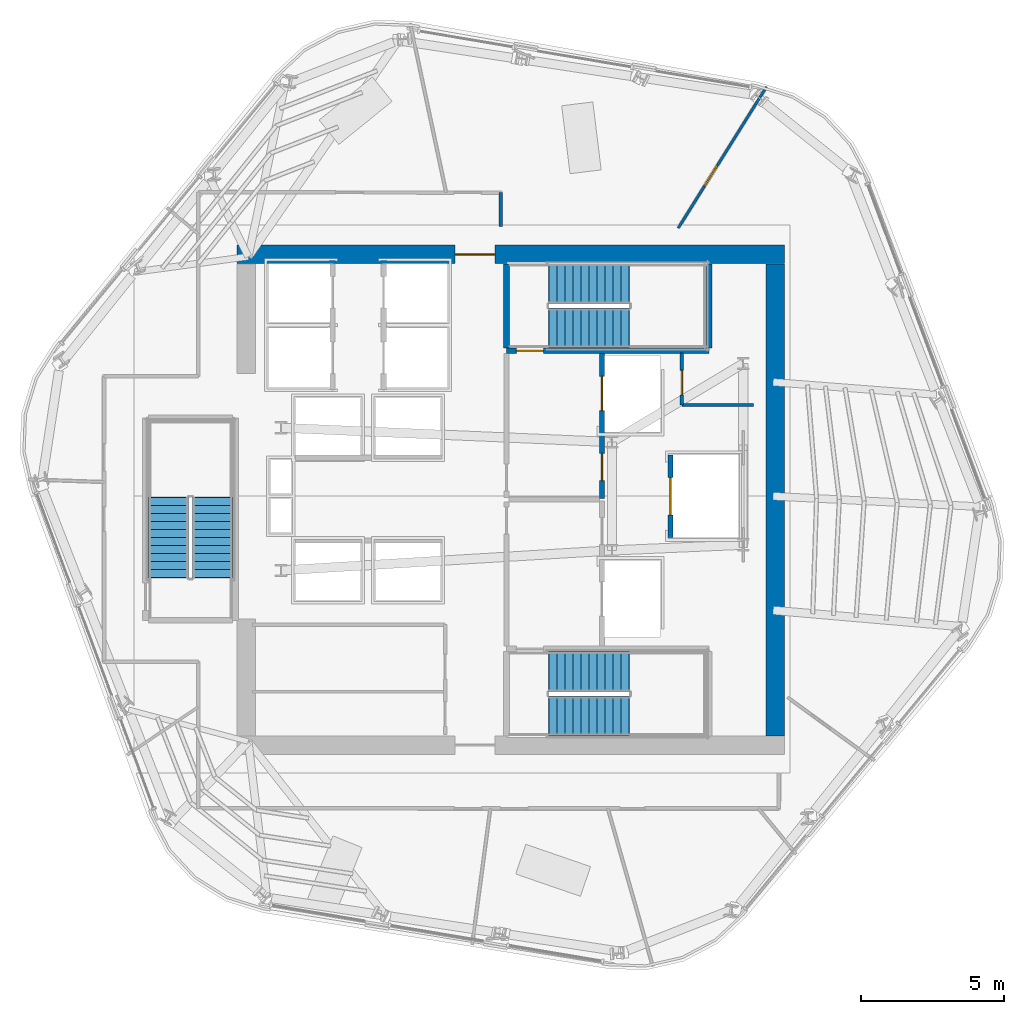
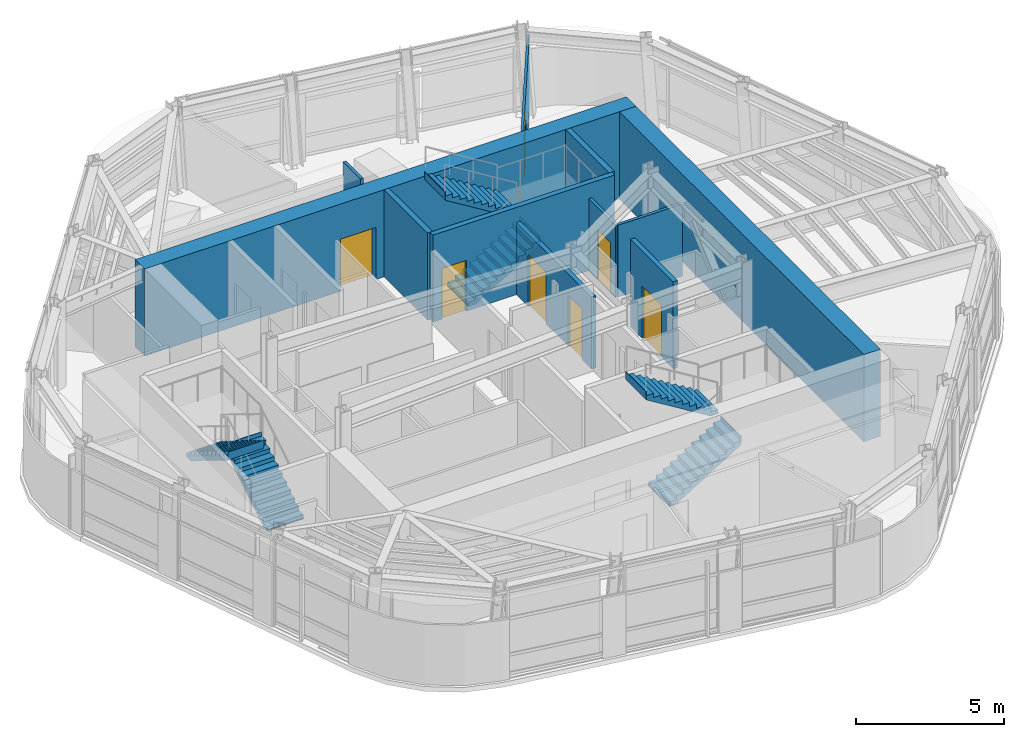
# One storey, part 7 of 12: 11 walls, 7 doors, 6 stair flights, 7 openings, 3 elements without a shape of their own.
"""IFC4 building model written with IfcOpenShell, lengths in metres."""

from ifc_helpers import new_model, si_unit, direction, frame, frame_2d, origin, place, context, subcontext, project, spatial, polyline, rectangle, outline, extrude, material, layer, layer_set, type_object, element, fill, aggregate, save


model = new_model("IFC4")

# Units and contexts
model_context = context("Model", 3, precision=1e-05, world=origin(), true_north=direction((0.0, 1.0)))
body_context = subcontext(model_context, "Body", "Model", "MODEL_VIEW")
ifc_project = project(units=[si_unit("LENGTHUNIT", "METRE"), si_unit("AREAUNIT", "SQUARE_METRE"), si_unit("VOLUMEUNIT", "CUBIC_METRE"), si_unit("PLANEANGLEUNIT", "RADIAN"), si_unit("MASSUNIT", "GRAM", prefix="KILO")], contexts=[model_context])

# Site, building, storey
site_placement = place(None, origin())
site = spatial("IfcSite", under=ifc_project, at=site_placement, CompositionType="ELEMENT")
building_placement = place(site_placement, origin())
building = spatial("IfcBuilding", under=site, at=building_placement, Name="Valkerne Bourse Tower", CompositionType="ELEMENT")
storey_placement = place(building_placement, frame((0.0, 0.0, 239.800048828125)))
storey = spatial("IfcBuildingStorey", under=building, at=storey_placement, Name="L61", CompositionType="ELEMENT", Elevation=239.800048828125)

# Wall, opening, door
ifc_material_1 = material(Name="Concrete C55/67", Category="concrete")
ifc_layer_1 = layer(ifc_material_1, 0.64990234375)
ifc_layer_set_1 = layer_set([ifc_layer_1], Name="Concrete C55/67")
wall_type_1 = type_object("IfcWallType", Name="W-CORE-650", PredefinedType="SHEAR", material=ifc_layer_set_1)
wall_1_placement = place(storey_placement, frame((37.199951171875, 35.47509765625, 0.0), z_axis=(0.0, 0.0, 1.0), x_axis=(1.0, 0.0, 0.0)))
wall_1 = element("IfcWall", 1, at=wall_1_placement, inside=storey, type_object=wall_type_1, Name="L61 Core Shear Wall NORTH", PredefinedType="SHEAR", context=body_context, shape_type="SweptSolid", body=[
    extrude(rectangle(XDim=19.199951171875, YDim=0.64990234375, at=frame_2d((9.60009765625, 0.0))), origin(), (0.0, 0.0, 1.0), 3.599853515625),
])
opening_1_placement = place(wall_1_placement, frame((7.64990234375, 0.0, 0.0)))
opening_1 = element("IfcOpeningElement", 2, at=opening_1_placement, cuts=wall_1, Name="Opening D-PL-1400", PredefinedType="OPENING", context=body_context, shape_type="SweptSolid", body=[
    extrude(rectangle(XDim=1.39990234375, YDim=2.14990234375, at=frame_2d((0.699951171875, 1.074951171875))), frame((0.0, 0.3349609375, 0.0), z_axis=(0.0, -1.0, 0.0), x_axis=(1.0, 0.0, 0.0)), (0.0, 0.0, 1.0), 0.669921875),
])
ifc_material_2 = material(Name="Galvanised Painted Steel", Category="steel")
door_type_1 = type_object("IfcDoorType", Name="DR-PLT-1400", OperationType="DOUBLE_DOOR_SINGLE_SWING", PredefinedType="DOOR", material=ifc_material_2)
door_1_placement = place(opening_1_placement, origin())
door_1 = element("IfcDoor", 3, at=door_1_placement, inside=storey, type_object=door_type_1, Name="L61 North Passenger Lift Hall Fire Door", OperationType="DOUBLE_DOOR_SINGLE_SWING", OverallHeight=2.14990234375, OverallWidth=1.39990234375, PredefinedType="DOOR", context=body_context, shape_type="SweptSolid", body=[
    extrude(rectangle(XDim=1.39990234375, YDim=2.14990234375, at=frame_2d((0.699951171875, 1.074951171875))), frame((0.0, 0.02490234375, 0.0), z_axis=(0.0, -1.0, 0.0), x_axis=(1.0, 0.0, 0.0)), (0.0, 0.0, 1.0), 0.050048828125),
])
fill(opening_1, door_1)

# Wall
wall_2_placement = place(storey_placement, frame((56.074951171875, 18.60009765625, 0.0), z_axis=(0.0, 0.0, 1.0), x_axis=(0.0, 1.0, 0.0)))
element("IfcWall", 4, at=wall_2_placement, inside=storey, type_object=wall_type_1, Name="L61 Core Shear Wall EAST", PredefinedType="SHEAR", context=body_context, shape_type="SweptSolid", body=[
    extrude(rectangle(XDim=16.5498046875, YDim=0.64990234375, at=frame_2d((8.27490234375, 0.0))), origin(), (0.0, 0.0, 1.0), 3.599853515625),
])

# Wall, opening, door
ifc_material_3 = material(Name="Gypsum Board Steel-Stud Partition", Category="steel")
ifc_layer_2 = layer(ifc_material_3, 0.117919921875)
ifc_layer_set_2 = layer_set([ifc_layer_2], Name="Gypsum Board Steel-Stud Partition")
wall_type_2 = type_object("IfcWallType", Name="W-CORR-140", PredefinedType="PARTITIONING", material=ifc_layer_set_2)
wall_3_placement = place(storey_placement, frame((52.800048828125, 30.199951171875, 0.0), z_axis=(0.0, 0.0, 1.0), x_axis=(0.0, 1.0, 0.0)))
wall_3 = element("IfcWall", 5, at=wall_3_placement, inside=storey, type_object=wall_type_2, Name="L61 Core NE Bay West Wall", PredefinedType="PARTITIONING", context=body_context, shape_type="SweptSolid", body=[
    extrude(rectangle(XDim=1.820068359375, YDim=0.117919921875, at=frame_2d((0.91015625, 0.0))), origin(), (0.0, 0.0, 1.0), 2.97802734375),
])
opening_2_placement = place(wall_3_placement, frame((0.35009765625, 0.0, 0.0)))
opening_2 = element("IfcOpeningElement", 6, at=opening_2_placement, cuts=wall_3, Name="Opening D-WC-900", PredefinedType="OPENING", context=body_context, shape_type="SweptSolid", body=[
    extrude(rectangle(XDim=0.860107421875, YDim=2.050048828125, at=frame_2d((0.43017578125, 1.02490234375))), frame((0.0, 0.06884765625, 0.0), z_axis=(0.0, -1.0, 0.0), x_axis=(1.0, 0.0, 0.0)), (0.0, 0.0, 1.0), 0.137939453125),
])
ifc_material_4 = material(Name="Architectural White Oak Timber", Category="wood")
door_type_2 = type_object("IfcDoorType", Name="DR-WC-900", OperationType="NOTDEFINED", PredefinedType="DOOR", material=ifc_material_4)
door_2_placement = place(opening_2_placement, origin())
door_2 = element("IfcDoor", 7, at=door_2_placement, inside=storey, type_object=door_type_2, Name="L61 Electrical Closet Door", OperationType="SINGLE_SWING_RIGHT", OverallHeight=2.050048828125, OverallWidth=0.860107421875, PredefinedType="DOOR", context=body_context, shape_type="SweptSolid", body=[
    extrude(rectangle(XDim=0.860107421875, YDim=2.050048828125, at=frame_2d((0.43017578125, 1.02490234375))), frame((0.0, 0.02490234375, 0.0), z_axis=(0.0, -1.0, 0.0), x_axis=(1.0, 0.0, 0.0)), (0.0, 0.0, 1.0), 0.050048828125),
])
fill(opening_2, door_2)

# Walls
wall_4_placement = place(storey_placement, frame((52.800048828125, 30.199951171875, 0.0), z_axis=(0.0, 0.0, 1.0), x_axis=(1.0, 0.0, 0.0)))
element("IfcWall", 8, at=wall_4_placement, inside=storey, type_object=wall_type_2, Name="L61 Core NE Bay South Wall", PredefinedType="PARTITIONING", context=body_context, shape_type="SweptSolid", body=[
    extrude(rectangle(XDim=2.52001953125, YDim=0.117919921875, at=frame_2d((1.260009765625, 0.0))), origin(), (0.0, 0.0, 1.0), 2.97802734375),
])
wall_5_placement = place(storey_placement, frame((46.449951171875, 37.639892578125, 0.0), z_axis=(0.0, 0.0, 1.0), x_axis=(0.0, -1.0, 0.0)))
element("IfcWall", 9, at=wall_5_placement, inside=storey, type_object=wall_type_2, Name="L61 Corridor Enclosure Wall", PredefinedType="PARTITIONING", context=body_context, shape_type="SweptSolid", body=[
    extrude(rectangle(XDim=1.179931640625, YDim=0.117919921875, at=frame_2d((0.58984375, 0.0))), origin(), (0.0, 0.0, 1.0), 3.300048828125),
])

# Wall, openings, doors
ifc_material_5 = material(Name="Gypsum Fire-Rated Shaftwall", Category="gypsum")
ifc_layer_3 = layer(ifc_material_5, 0.179931640625)
ifc_layer_set_3 = layer_set([ifc_layer_3], Name="Gypsum Fire-Rated Shaftwall")
wall_type_3 = type_object("IfcWallType", Name="W-FSAE-180", PredefinedType="PARTITIONING", material=ifc_layer_set_3)
wall_6_placement = place(storey_placement, frame((50.0, 26.919921875, 0.0), z_axis=(0.0, 0.0, 1.0), x_axis=(0.0, 1.0, 0.0)))
wall_6 = element("IfcWall", 10, at=wall_6_placement, inside=storey, type_object=wall_type_3, Name="L61 FSAE-2 Lobby & Shaft Front Wall", PredefinedType="PARTITIONING", context=body_context, shape_type="SweptSolid", body=[
    extrude(rectangle(XDim=5.080078125, YDim=0.179931640625, at=frame_2d((2.5400390625, 0.0))), origin(), (0.0, 0.0, 1.0), 2.97802734375),
])
opening_3_placement = place(wall_6_placement, frame((3.080078125, 0.0, 0.0)))
opening_3 = element("IfcOpeningElement", 11, at=opening_3_placement, cuts=wall_6, Name="Opening LD-1200", PredefinedType="OPENING", context=body_context, shape_type="SweptSolid", body=[
    extrude(rectangle(XDim=1.199951171875, YDim=2.14990234375, at=frame_2d((0.60009765625, 1.074951171875))), frame((0.0, 0.099853515625, 0.0), z_axis=(0.0, -1.0, 0.0), x_axis=(1.0, 0.0, 0.0)), (0.0, 0.0, 1.0), 0.199951171875),
])
opening_4_placement = place(wall_6_placement, frame((0.6298828125, 0.0, 0.0)))
opening_4 = element("IfcOpeningElement", 12, at=opening_4_placement, cuts=wall_6, Name="Opening D-FS-950", PredefinedType="OPENING", context=body_context, shape_type="SweptSolid", body=[
    extrude(rectangle(XDim=0.949951171875, YDim=2.10009765625, at=frame_2d((0.47509765625, 1.050048828125))), frame((0.0, 0.099853515625, 0.0), z_axis=(0.0, -1.0, 0.0), x_axis=(1.0, 0.0, 0.0)), (0.0, 0.0, 1.0), 0.199951171875),
])
door_type_3 = type_object("IfcDoorType", Name="DR-FSAE-950", OperationType="NOTDEFINED", PredefinedType="DOOR", material=ifc_material_2)
door_3_placement = place(opening_4_placement, origin())
door_3 = element("IfcDoor", 13, at=door_3_placement, inside=storey, type_object=door_type_3, Name="L61 FSAE-2 Lobby Corridor Fire Door", OperationType="SINGLE_SWING_LEFT", OverallHeight=2.10009765625, OverallWidth=0.949951171875, PredefinedType="DOOR", context=body_context, shape_type="SweptSolid", body=[
    extrude(rectangle(XDim=0.949951171875, YDim=2.10009765625, at=frame_2d((0.47509765625, 1.050048828125))), frame((0.0, 0.02490234375, 0.0), z_axis=(0.0, -1.0, 0.0), x_axis=(1.0, 0.0, 0.0)), (0.0, 0.0, 1.0), 0.050048828125),
])
fill(opening_4, door_3)
ifc_material_6 = material(Name="Stainless Steel AISI 316", Category="steel")
door_type_4 = type_object("IfcDoorType", Name="DR-LIFT-1200", OperationType="DOUBLE_DOOR_SLIDING", PredefinedType="DOOR", material=ifc_material_6)
door_4_placement = place(opening_3_placement, origin())
door_4 = element("IfcDoor", 14, at=door_4_placement, inside=storey, type_object=door_type_4, Name="L61 FSAE-2 Firefighting Lift Landing Door", OperationType="DOUBLE_DOOR_SLIDING", OverallHeight=2.14990234375, OverallWidth=1.199951171875, PredefinedType="DOOR", context=body_context, shape_type="SweptSolid", body=[
    extrude(rectangle(XDim=1.199951171875, YDim=2.14990234375, at=frame_2d((0.60009765625, 1.074951171875))), frame((0.0, 0.02490234375, 0.0), z_axis=(0.0, -1.0, 0.0), x_axis=(1.0, 0.0, 0.0)), (0.0, 0.0, 1.0), 0.050048828125),
])
fill(opening_3, door_4)

# Wall, opening, door
ifc_material_7 = material(Name="CMU Blockwork Masonry 200mm", Category="masonry")
ifc_layer_4 = layer(ifc_material_7, 0.179931640625)
ifc_layer_set_4 = layer_set([ifc_layer_4], Name="CMU Blockwork Masonry 200mm")
wall_type_4 = type_object("IfcWallType", Name="W-LFT-180", PredefinedType="SOLIDWALL", material=ifc_layer_set_4)
wall_7_placement = place(storey_placement, frame((52.39990234375, 25.550048828125, 0.0), z_axis=(0.0, 0.0, 1.0), x_axis=(0.0, 1.0, 0.0)))
wall_7 = element("IfcWall", 15, at=wall_7_placement, inside=storey, type_object=wall_type_4, Name="L61 Service Lift SV-1 Front Wall", PredefinedType="SOLIDWALL", context=body_context, shape_type="SweptSolid", body=[
    extrude(rectangle(XDim=2.89990234375, YDim=0.179931640625, at=frame_2d((1.449951171875, 0.0))), origin(), (0.0, 0.0, 1.0), 3.599853515625),
])
opening_5_placement = place(wall_7_placement, frame((0.800048828125, 0.0, 0.0)))
opening_5 = element("IfcOpeningElement", 16, at=opening_5_placement, cuts=wall_7, Name="Opening LD-1300", PredefinedType="OPENING", context=body_context, shape_type="SweptSolid", body=[
    extrude(rectangle(XDim=1.300048828125, YDim=2.14990234375, at=frame_2d((0.64990234375, 1.074951171875))), frame((0.0, 0.099853515625, 0.0), z_axis=(0.0, -1.0, 0.0), x_axis=(1.0, 0.0, 0.0)), (0.0, 0.0, 1.0), 0.199951171875),
])
door_type_5 = type_object("IfcDoorType", Name="DR-LIFT-1300", OperationType="DOUBLE_DOOR_SLIDING", PredefinedType="DOOR", material=ifc_material_6)
door_5_placement = place(opening_5_placement, origin())
door_5 = element("IfcDoor", 17, at=door_5_placement, inside=storey, type_object=door_type_5, Name="L61 Service Lift SV-1 Landing Door", OperationType="DOUBLE_DOOR_SLIDING", OverallHeight=2.14990234375, OverallWidth=1.300048828125, PredefinedType="DOOR", context=body_context, shape_type="SweptSolid", body=[
    extrude(rectangle(XDim=1.300048828125, YDim=2.14990234375, at=frame_2d((0.64990234375, 1.074951171875))), frame((0.0, 0.02490234375, 0.0), z_axis=(0.0, -1.0, 0.0), x_axis=(1.0, 0.0, 0.0)), (0.0, 0.0, 1.0), 0.050048828125),
])
fill(opening_5, door_5)

ifc_layer_5 = layer(ifc_material_3, 0.092041015625)
ifc_layer_set_5 = layer_set([ifc_layer_5], Name="Gypsum Board Steel-Stud Partition")
wall_type_5 = type_object("IfcWallType", Name="W-PART-115", PredefinedType="PARTITIONING", material=ifc_layer_set_5)
wall_8_placement = place(storey_placement, frame((52.673828125, 36.39990234375, 0.0), z_axis=(0.0, 0.0, 1.0), x_axis=(0.529904951141, 0.848057039801, 0.0)))
wall_8 = element("IfcWall", 18, at=wall_8_placement, inside=storey, type_object=wall_type_5, Name="L61 Suite Partition P05", PredefinedType="PARTITIONING", context=body_context, shape_type="SweptSolid", body=[
    extrude(rectangle(XDim=5.83740234375, YDim=0.092041015625, at=frame_2d((2.918701171875, 0.0))), origin(), (0.0, 0.0, 1.0), 3.036376953125),
])
opening_6_placement = place(wall_8_placement, frame((1.7421875, 0.0, 0.0)))
opening_6 = element("IfcOpeningElement", 19, at=opening_6_placement, cuts=wall_8, Name="Opening D-WC-900", PredefinedType="OPENING", context=body_context, shape_type="SweptSolid", body=[
    extrude(rectangle(XDim=0.860107421875, YDim=2.050048828125, at=frame_2d((0.43017578125, 1.02490234375))), frame((0.0, 0.055908203125, 0.0), z_axis=(0.0, -1.0, 0.0), x_axis=(1.0, 0.0, 0.0)), (0.0, 0.0, 1.0), 0.112060546875),
])
door_6_placement = place(opening_6_placement, origin())
door_6 = element("IfcDoor", 20, at=door_6_placement, inside=storey, type_object=door_type_2, Name="L61 L61 Occupational Wellness Clinic 9 Suite Door", OperationType="SINGLE_SWING_LEFT", OverallHeight=2.050048828125, OverallWidth=0.860107421875, PredefinedType="DOOR", context=body_context, shape_type="SweptSolid", body=[
    extrude(rectangle(XDim=0.860107421875, YDim=2.050048828125, at=frame_2d((0.43017578125, 1.02490234375))), frame((0.0, 0.02490234375, 0.0), z_axis=(0.0, -1.0, 0.0), x_axis=(1.0, 0.0, 0.0)), (0.0, 0.0, 1.0), 0.050048828125),
])
fill(opening_6, door_6)

ifc_material_8 = material(Name="Concrete C40/50", Category="concrete")
ifc_layer_6 = layer(ifc_material_8, 0.199951171875)
ifc_layer_set_6 = layer_set([ifc_layer_6], Name="Concrete C40/50")
wall_type_6 = type_object("IfcWallType", Name="W-SHF-200", PredefinedType="SHEAR", material=ifc_layer_set_6)
wall_9_placement = place(storey_placement, frame((46.64990234375, 32.10009765625, 0.0), z_axis=(0.0, 0.0, 1.0), x_axis=(1.0, 0.0, 0.0)))
wall_9 = element("IfcWall", 21, at=wall_9_placement, inside=storey, type_object=wall_type_6, Name="L61 Exit Stair ST-2 Structural Shaft Wall South", PredefinedType="SHEAR", context=body_context, shape_type="SweptSolid", body=[
    extrude(rectangle(XDim=7.10009765625, YDim=0.199951171875, at=frame_2d((3.550048828125, 0.0))), origin(), (0.0, 0.0, 1.0), 3.599853515625),
])
opening_7_placement = place(wall_9_placement, frame((0.35009765625, 0.0, 0.0)))
opening_7 = element("IfcOpeningElement", 22, at=opening_7_placement, cuts=wall_9, Name="Opening D-ST-950", PredefinedType="OPENING", context=body_context, shape_type="SweptSolid", body=[
    extrude(rectangle(XDim=0.949951171875, YDim=2.10009765625, at=frame_2d((0.47509765625, 1.050048828125))), frame((0.0, 0.10986328125, 0.0), z_axis=(0.0, -1.0, 0.0), x_axis=(1.0, 0.0, 0.0)), (0.0, 0.0, 1.0), 0.219970703125),
])
door_type_6 = type_object("IfcDoorType", Name="DR-STAIR-950", OperationType="NOTDEFINED", PredefinedType="DOOR", material=ifc_material_2)
door_7_placement = place(opening_7_placement, origin())
door_7 = element("IfcDoor", 23, at=door_7_placement, inside=storey, type_object=door_type_6, Name="L61 Exit Stair ST-2 Door", OperationType="SINGLE_SWING_LEFT", OverallHeight=2.10009765625, OverallWidth=0.949951171875, PredefinedType="DOOR", context=body_context, shape_type="SweptSolid", body=[
    extrude(rectangle(XDim=0.949951171875, YDim=2.10009765625, at=frame_2d((0.47509765625, 1.050048828125))), frame((0.0, 0.02490234375, 0.0), z_axis=(0.0, -1.0, 0.0), x_axis=(1.0, 0.0, 0.0)), (0.0, 0.0, 1.0), 0.050048828125),
])
fill(opening_7, door_7)

# Walls
for number, where, z_axis, x_axis, name in (
    (24, (46.64990234375, 32.199951171875, 0.0), (0.0, 0.0, 1.0), (0.0, 1.0, 0.0), "L61 Exit Stair ST-2 Structural Shaft Wall West"),
    (25, (53.75, 32.199951171875, 0.0), (0.0, 0.0, 1.0), (0.0, 1.0, 0.0), "L61 Exit Stair ST-2 Structural Shaft Wall East"),
):
    element("IfcWall", number, at=place(storey_placement, frame(where, z_axis=z_axis, x_axis=x_axis)), inside=storey, type_object=wall_type_6, Name=name, PredefinedType="SHEAR", context=body_context, shape_type="SweptSolid", body=[
        extrude(rectangle(XDim=2.949951171875, YDim=0.199951171875, at=frame_2d((1.47509765625, 0.0))), origin(), (0.0, 0.0, 1.0), 3.599853515625),
    ])

# Stair, stair flights
stair_type = type_object("IfcStairType", Name="ST-CORE-1400", PredefinedType="HALF_TURN_STAIR", material=ifc_material_8)
stair_1_placement = place(storey_placement, origin())
stair_1 = element("IfcStair", 26, at=stair_1_placement, inside=storey, type_object=stair_type, Name="L61 ST-1", PredefinedType="HALF_TURN_STAIR")
stair_flight_type = type_object("IfcStairFlightType", Name="STF-CORE-1400", PredefinedType="STRAIGHT", material=ifc_material_8)
stair_flight_1_placement = place(storey_placement, frame((48.14990234375, 19.300048828125, 0.0), z_axis=(0.0, 0.0, 1.0), x_axis=(1.0, 0.0, 0.0)))
stair_flight_1 = element("IfcStairFlight", 27, at=stair_flight_1_placement, type_object=stair_flight_type, Name="ST-1 flight 1", NumberOfRisers=11, NumberOfTreads=10, PredefinedType="STRAIGHT", RiserHeight=0.172727273, TreadLength=0.28, context=body_context, shape_type="SweptSolid", body=[
    extrude(outline(polyline([(-0.02001953125, 0.0), (-0.02001953125, 0.044921875), (0.0, 0.044921875), (0.0, 0.172607421875), (0.280029296875, 0.172607421875), (0.280029296875, 0.345458984375), (0.56005859375, 0.345458984375), (0.56005859375, 0.51806640625), (0.840087890625, 0.51806640625), (0.840087890625, 0.69091796875), (1.1201171875, 0.69091796875), (1.1201171875, 0.863525390625), (1.39990234375, 0.863525390625), (1.39990234375, 1.036376953125), (1.679931640625, 1.036376953125), (1.679931640625, 1.208984375), (1.9599609375, 1.208984375), (1.9599609375, 1.3818359375), (2.239990234375, 1.3818359375), (2.239990234375, 1.554443359375), (2.52001953125, 1.554443359375), (2.52001953125, 1.727294921875), (2.800048828125, 1.727294921875), (2.800048828125, 1.89990234375), (2.820068359375, 1.89990234375), (2.820068359375, 1.780029296875), (2.800048828125, 1.551025390625), (0.285400390625, 0.0), (-0.02001953125, 0.0)])), frame((0.0, 0.699951171875, 0.0), z_axis=(0.0, -1.0, 0.0), x_axis=(1.0, 0.0, 0.0)), (0.0, 0.0, 1.0), 1.39990234375),
])
stair_flight_2_placement = place(storey_placement, frame((50.949951171875, 20.85009765625, 1.89990234375), z_axis=(0.0, 0.0, 1.0), x_axis=(-1.0, 0.0, 0.0)))
stair_flight_2 = element("IfcStairFlight", 28, at=stair_flight_2_placement, type_object=stair_flight_type, Name="ST-1 flight 2", NumberOfRisers=11, NumberOfTreads=10, PredefinedType="STRAIGHT", RiserHeight=0.172727273, TreadLength=0.28, context=body_context, shape_type="SweptSolid", body=[
    extrude(outline(polyline([(-0.02001953125, 0.0), (-0.02001953125, 0.044921875), (0.0, 0.044921875), (0.0, 0.172607421875), (0.280029296875, 0.172607421875), (0.280029296875, 0.345458984375), (0.56005859375, 0.345458984375), (0.56005859375, 0.51806640625), (0.840087890625, 0.51806640625), (0.840087890625, 0.69091796875), (1.1201171875, 0.69091796875), (1.1201171875, 0.863525390625), (1.39990234375, 0.863525390625), (1.39990234375, 1.036376953125), (1.679931640625, 1.036376953125), (1.679931640625, 1.208984375), (1.9599609375, 1.208984375), (1.9599609375, 1.3818359375), (2.239990234375, 1.3818359375), (2.239990234375, 1.554443359375), (2.52001953125, 1.554443359375), (2.52001953125, 1.727294921875), (2.800048828125, 1.727294921875), (2.800048828125, 1.89990234375), (2.820068359375, 1.89990234375), (2.820068359375, 1.780029296875), (2.800048828125, 1.551025390625), (0.285400390625, 0.0), (-0.02001953125, 0.0)])), frame((0.0, 0.699951171875, 0.0), z_axis=(0.0, -1.0, 0.0), x_axis=(1.0, 0.0, 0.0)), (0.0, 0.0, 1.0), 1.39990234375),
])
aggregate(stair_1, [stair_flight_1, stair_flight_2])

stair_2_placement = place(storey_placement, origin())
stair_2 = element("IfcStair", 29, at=stair_2_placement, inside=storey, type_object=stair_type, Name="L61 ST-2", PredefinedType="HALF_TURN_STAIR")
stair_flight_3_placement = place(storey_placement, frame((48.14990234375, 32.89990234375, 0.0), z_axis=(0.0, 0.0, 1.0), x_axis=(1.0, 0.0, 0.0)))
stair_flight_3 = element("IfcStairFlight", 30, at=stair_flight_3_placement, type_object=stair_flight_type, Name="ST-2 flight 1", NumberOfRisers=11, NumberOfTreads=10, PredefinedType="STRAIGHT", RiserHeight=0.172727273, TreadLength=0.28, context=body_context, shape_type="SweptSolid", body=[
    extrude(outline(polyline([(-0.02001953125, 0.0), (-0.02001953125, 0.044921875), (0.0, 0.044921875), (0.0, 0.172607421875), (0.280029296875, 0.172607421875), (0.280029296875, 0.345458984375), (0.56005859375, 0.345458984375), (0.56005859375, 0.51806640625), (0.840087890625, 0.51806640625), (0.840087890625, 0.69091796875), (1.1201171875, 0.69091796875), (1.1201171875, 0.863525390625), (1.39990234375, 0.863525390625), (1.39990234375, 1.036376953125), (1.679931640625, 1.036376953125), (1.679931640625, 1.208984375), (1.9599609375, 1.208984375), (1.9599609375, 1.3818359375), (2.239990234375, 1.3818359375), (2.239990234375, 1.554443359375), (2.52001953125, 1.554443359375), (2.52001953125, 1.727294921875), (2.800048828125, 1.727294921875), (2.800048828125, 1.89990234375), (2.820068359375, 1.89990234375), (2.820068359375, 1.780029296875), (2.800048828125, 1.551025390625), (0.285400390625, 0.0), (-0.02001953125, 0.0)])), frame((0.0, 0.699951171875, 0.0), z_axis=(0.0, -1.0, 0.0), x_axis=(1.0, 0.0, 0.0)), (0.0, 0.0, 1.0), 1.39990234375),
])
stair_flight_4_placement = place(storey_placement, frame((50.949951171875, 34.449951171875, 1.89990234375), z_axis=(0.0, 0.0, 1.0), x_axis=(-1.0, 0.0, 0.0)))
stair_flight_4 = element("IfcStairFlight", 31, at=stair_flight_4_placement, type_object=stair_flight_type, Name="ST-2 flight 2", NumberOfRisers=11, NumberOfTreads=10, PredefinedType="STRAIGHT", RiserHeight=0.172727273, TreadLength=0.28, context=body_context, shape_type="SweptSolid", body=[
    extrude(outline(polyline([(-0.02001953125, 0.0), (-0.02001953125, 0.044921875), (0.0, 0.044921875), (0.0, 0.172607421875), (0.280029296875, 0.172607421875), (0.280029296875, 0.345458984375), (0.56005859375, 0.345458984375), (0.56005859375, 0.51806640625), (0.840087890625, 0.51806640625), (0.840087890625, 0.69091796875), (1.1201171875, 0.69091796875), (1.1201171875, 0.863525390625), (1.39990234375, 0.863525390625), (1.39990234375, 1.036376953125), (1.679931640625, 1.036376953125), (1.679931640625, 1.208984375), (1.9599609375, 1.208984375), (1.9599609375, 1.3818359375), (2.239990234375, 1.3818359375), (2.239990234375, 1.554443359375), (2.52001953125, 1.554443359375), (2.52001953125, 1.727294921875), (2.800048828125, 1.727294921875), (2.800048828125, 1.89990234375), (2.820068359375, 1.89990234375), (2.820068359375, 1.780029296875), (2.800048828125, 1.551025390625), (0.285400390625, 0.0), (-0.02001953125, 0.0)])), frame((0.0, 0.699951171875, 0.0), z_axis=(0.0, -1.0, 0.0), x_axis=(1.0, 0.0, 0.0)), (0.0, 0.0, 1.0), 1.39990234375),
])
aggregate(stair_2, [stair_flight_3, stair_flight_4])

stair_3_placement = place(storey_placement, origin())
stair_3 = element("IfcStair", 32, at=stair_3_placement, inside=storey, type_object=stair_type, Name="L61 ST-3", PredefinedType="HALF_TURN_STAIR")
stair_flight_5_placement = place(storey_placement, frame((36.35009765625, 24.14990234375, 0.0), z_axis=(0.0, 0.0, 1.0), x_axis=(0.0, 1.0, 0.0)))
stair_flight_5 = element("IfcStairFlight", 33, at=stair_flight_5_placement, type_object=stair_flight_type, Name="ST-3 flight 1", NumberOfRisers=11, NumberOfTreads=10, PredefinedType="STRAIGHT", RiserHeight=0.172727273, TreadLength=0.28, context=body_context, shape_type="SweptSolid", body=[
    extrude(outline(polyline([(-0.02001953125, 0.0), (-0.02001953125, 0.044921875), (0.0, 0.044921875), (0.0, 0.172607421875), (0.280029296875, 0.172607421875), (0.280029296875, 0.345458984375), (0.56005859375, 0.345458984375), (0.56005859375, 0.51806640625), (0.840087890625, 0.51806640625), (0.840087890625, 0.69091796875), (1.1201171875, 0.69091796875), (1.1201171875, 0.863525390625), (1.39990234375, 0.863525390625), (1.39990234375, 1.036376953125), (1.679931640625, 1.036376953125), (1.679931640625, 1.208984375), (1.9599609375, 1.208984375), (1.9599609375, 1.3818359375), (2.239990234375, 1.3818359375), (2.239990234375, 1.554443359375), (2.52001953125, 1.554443359375), (2.52001953125, 1.727294921875), (2.800048828125, 1.727294921875), (2.800048828125, 1.89990234375), (2.820068359375, 1.89990234375), (2.820068359375, 1.780029296875), (2.800048828125, 1.551025390625), (0.285400390625, 0.0), (-0.02001953125, 0.0)])), frame((0.0, 0.699951171875, 0.0), z_axis=(0.0, -1.0, 0.0), x_axis=(1.0, 0.0, 0.0)), (0.0, 0.0, 1.0), 1.39990234375),
])
stair_flight_6_placement = place(storey_placement, frame((34.800048828125, 26.949951171875, 1.89990234375), z_axis=(0.0, 0.0, 1.0), x_axis=(0.0, -1.0, 0.0)))
stair_flight_6 = element("IfcStairFlight", 34, at=stair_flight_6_placement, type_object=stair_flight_type, Name="ST-3 flight 2", NumberOfRisers=11, NumberOfTreads=10, PredefinedType="STRAIGHT", RiserHeight=0.172727273, TreadLength=0.28, context=body_context, shape_type="SweptSolid", body=[
    extrude(outline(polyline([(-0.02001953125, 0.0), (-0.02001953125, 0.044921875), (0.0, 0.044921875), (0.0, 0.172607421875), (0.280029296875, 0.172607421875), (0.280029296875, 0.345458984375), (0.56005859375, 0.345458984375), (0.56005859375, 0.51806640625), (0.840087890625, 0.51806640625), (0.840087890625, 0.69091796875), (1.1201171875, 0.69091796875), (1.1201171875, 0.863525390625), (1.39990234375, 0.863525390625), (1.39990234375, 1.036376953125), (1.679931640625, 1.036376953125), (1.679931640625, 1.208984375), (1.9599609375, 1.208984375), (1.9599609375, 1.3818359375), (2.239990234375, 1.3818359375), (2.239990234375, 1.554443359375), (2.52001953125, 1.554443359375), (2.52001953125, 1.727294921875), (2.800048828125, 1.727294921875), (2.800048828125, 1.89990234375), (2.820068359375, 1.89990234375), (2.820068359375, 1.780029296875), (2.800048828125, 1.551025390625), (0.285400390625, 0.0), (-0.02001953125, 0.0)])), frame((0.0, 0.699951171875, 0.0), z_axis=(0.0, -1.0, 0.0), x_axis=(1.0, 0.0, 0.0)), (0.0, 0.0, 1.0), 1.39990234375),
])
aggregate(stair_3, [stair_flight_5, stair_flight_6])

save(model, "model.ifc")
